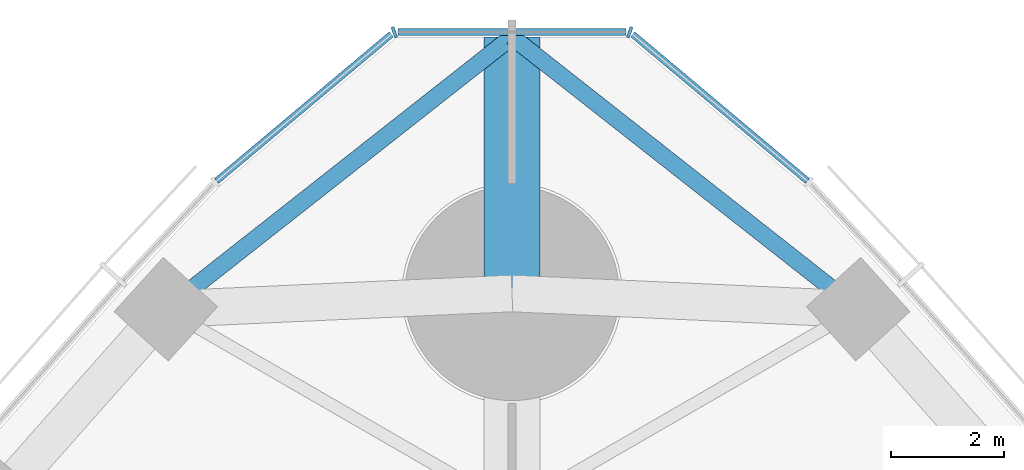
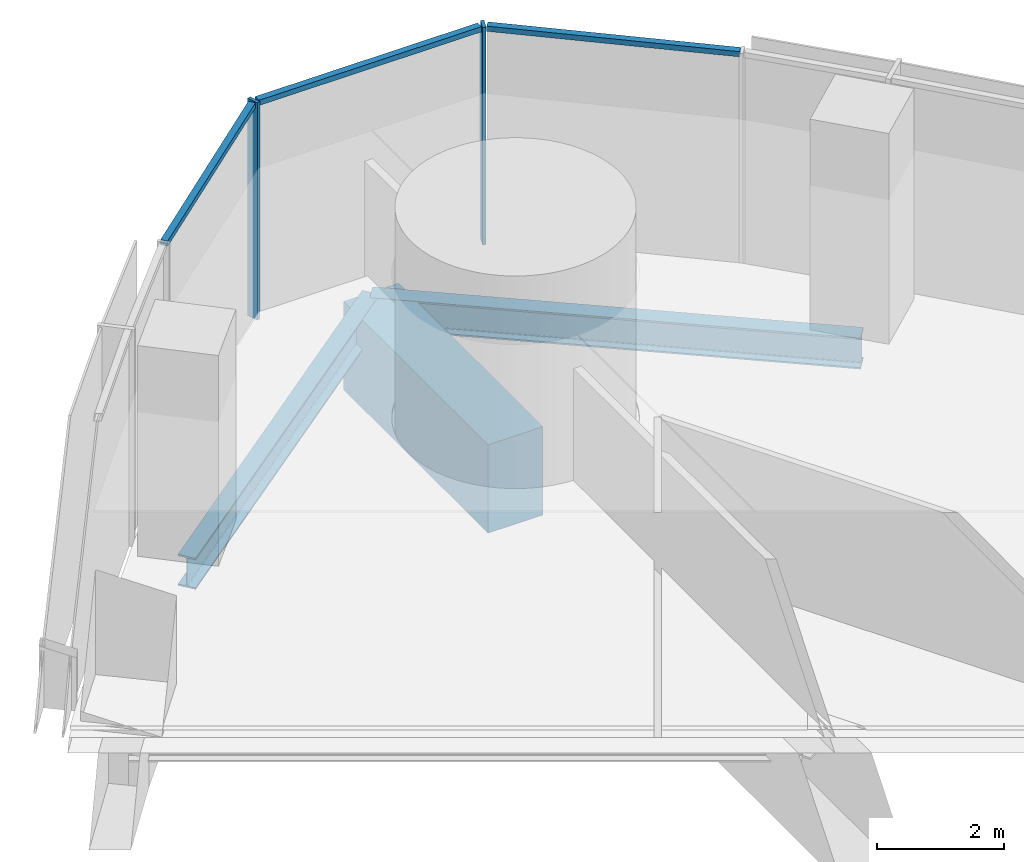
# One storey, part 9 of 19: 5 members, 3 beams, 1 element without a shape of its own.
"""IFC4 building model written with IfcOpenShell, lengths in metres."""

from ifc_helpers import new_model, si_unit, direction, frame, origin, origin_2d, place, context, subcontext, project, spatial, rectangle, i_section, extrude, material, material_profile, profile_set, type_object, element, aggregate, save


model = new_model("IFC4")

# Units and contexts
model_context = context("Model", 3, precision=1e-05, world=origin(), true_north=direction((0.0, 1.0)))
body_context = subcontext(model_context, "Body", "Model", "MODEL_VIEW")
ifc_project = project(units=[si_unit("LENGTHUNIT", "METRE"), si_unit("AREAUNIT", "SQUARE_METRE"), si_unit("VOLUMEUNIT", "CUBIC_METRE"), si_unit("PLANEANGLEUNIT", "RADIAN"), si_unit("MASSUNIT", "GRAM", prefix="KILO")], contexts=[model_context])

# Site, building, storey
site_placement = place(None, origin())
site = spatial("IfcSite", under=ifc_project, at=site_placement, CompositionType="ELEMENT")
building_placement = place(site_placement, origin())
building = spatial("IfcBuilding", under=site, at=building_placement, Name="Trefoil Bronze Tower", CompositionType="ELEMENT")
storey_placement = place(building_placement, frame((0.0, 0.0, 132.5)))
storey = spatial("IfcBuildingStorey", under=building, at=storey_placement, Name="L30", CompositionType="ELEMENT", Elevation=132.5)

# Curtain wall, members
ifc_material_1 = material(Name="Tinted solar-control glass", Category="glass")
curtain_wall_type = type_object("IfcCurtainWallType", Name="Bronze rounded corner curtain wall", PredefinedType="USERDEFINED", material=ifc_material_1)
curtain_wall_placement = place(storey_placement, origin())
curtain_wall = element("IfcCurtainWall", 1, at=curtain_wall_placement, inside=storey, type_object=curtain_wall_type, Name="CW-B L30 K2", ObjectType="CURTAIN WALL", PredefinedType="USERDEFINED")
ifc_material_2 = material(Name="Bronze-finish aluminium", Category="aluminium")
ifc_material_profile_1 = material_profile(ifc_material_2, rectangle(XDim=0.199951171875, YDim=0.06005859375, at=origin_2d()), Name="CW-B mullion")
ifc_profile_set_1 = profile_set([ifc_material_profile_1], Name="Bronze-finish aluminium")
member_type_1 = type_object("IfcMemberType", Name="Bronze rounded corner curtain wall mullion", PredefinedType="MULLION", material=ifc_profile_set_1)
member_1_placement = place(storey_placement, frame((2.08642578125, 39.631591796875, 0.0), z_axis=(0.0, 0.0, 1.0), x_axis=(-0.342020143326, -0.939692620786, 0.0)))
member_1 = element("IfcMember", 2, at=member_1_placement, type_object=member_type_1, Name="CW-B L30 K2 mullion 2", PredefinedType="MULLION", context=body_context, shape_type="SweptSolid", body=[
    extrude(rectangle(XDim=0.199951171875, YDim=0.06005859375, at=origin_2d()), origin(), (0.0, 0.0, 1.0), 4.179931640625),
])
member_2_placement = place(storey_placement, frame((-2.08642578125, 39.631591796875, 0.0), z_axis=(0.0, 0.0, 1.0), x_axis=(0.342020143326, -0.939692620786, 0.0)))
member_2 = element("IfcMember", 3, at=member_2_placement, type_object=member_type_1, Name="CW-B L30 K2 mullion 3", PredefinedType="MULLION", context=body_context, shape_type="SweptSolid", body=[
    extrude(rectangle(XDim=0.199951171875, YDim=0.06005859375, at=origin_2d()), origin(), (0.0, 0.0, 1.0), 4.179931640625),
])
ifc_material_3 = material(Name="Bronze-finish aluminium", Category="aluminium")
ifc_material_profile_2 = material_profile(ifc_material_3, rectangle(XDim=0.1201171875, YDim=0.10009765625, at=origin_2d()), Name="CW-B transom")
ifc_profile_set_2 = profile_set([ifc_material_profile_2], Name="Bronze-finish aluminium")
member_type_2 = type_object("IfcMemberType", Name="Bronze rounded corner curtain wall transom", PredefinedType="USERDEFINED", material=ifc_profile_set_2)
member_3_placement = place(storey_placement, frame((5.237548828125, 36.9951171875, 4.1298828125), z_axis=(-0.766049624684, 0.642781434487, 0.0), x_axis=(-0.642781434487, -0.766049624684, 0.0)))
member_3 = element("IfcMember", 4, at=member_3_placement, type_object=member_type_2, Name="CW-B L30 K2 transom 1", ObjectType="TRANSOM", PredefinedType="USERDEFINED", context=body_context, shape_type="SweptSolid", body=[
    extrude(rectangle(XDim=0.1201171875, YDim=0.10009765625, at=origin_2d()), origin(), (0.0, 0.0, 1.0), 4.04443359375),
])
member_4_placement = place(storey_placement, frame((2.022216796875, 39.637451171875, 4.1298828125), z_axis=(-1.0, 0.0, 0.0), x_axis=(0.0, -1.0, 0.0)))
member_4 = element("IfcMember", 5, at=member_4_placement, type_object=member_type_2, Name="CW-B L30 K2 transom 2", ObjectType="TRANSOM", PredefinedType="USERDEFINED", context=body_context, shape_type="SweptSolid", body=[
    extrude(rectangle(XDim=0.1201171875, YDim=0.10009765625, at=origin_2d()), origin(), (0.0, 0.0, 1.0), 4.04443359375),
])
member_5_placement = place(storey_placement, frame((-2.139404296875, 39.5947265625, 4.1298828125), z_axis=(-0.766049624684, -0.642781434487, 0.0), x_axis=(0.642781434487, -0.766049624684, 0.0)))
member_5 = element("IfcMember", 6, at=member_5_placement, type_object=member_type_2, Name="CW-B L30 K2 transom 3", ObjectType="TRANSOM", PredefinedType="USERDEFINED", context=body_context, shape_type="SweptSolid", body=[
    extrude(rectangle(XDim=0.1201171875, YDim=0.10009765625, at=origin_2d()), origin(), (0.0, 0.0, 1.0), 4.04443359375),
])
aggregate(curtain_wall, [member_1, member_2, member_3, member_4, member_5])

# Beams
ifc_material_4 = material(Name="Concrete B80", Category="concrete")
ifc_material_profile_3 = material_profile(ifc_material_4, rectangle(XDim=1.0, YDim=1.699951171875, at=origin_2d()), Name="RC 1000x1700")
ifc_profile_set_3 = profile_set([ifc_material_profile_3], Name="Concrete B80")
beam_type_1 = type_object("IfcBeamType", Name="Corner cantilever RC 1000x1700", PredefinedType="BEAM", material=ifc_profile_set_3)
beam_placement = place(storey_placement, frame((0.0, 35.0, -1.050048828125), z_axis=(0.0, 1.0, 0.0), x_axis=(-1.0, 0.0, 0.0)))
element("IfcBeam", 7, at=beam_placement, inside=storey, type_object=beam_type_1, Name="Corner cantilever K2 L30", PredefinedType="BEAM", context=body_context, shape_type="SweptSolid", body=[
    extrude(rectangle(XDim=1.0, YDim=1.699951171875, at=origin_2d()), origin(), (0.0, 0.0, 1.0), 4.54931640625),
])
ifc_material_5 = material(Name="Steel C355", Category="steel")
ifc_material_profile_4 = material_profile(ifc_material_5, i_section(OverallWidth=0.300048828125, OverallDepth=0.60009765625, WebThickness=0.015380859375, FlangeThickness=0.030029296875, FilletRadius=0.027099609375, at=origin_2d()), Name="HEB 600")
ifc_profile_set_4 = profile_set([ifc_material_profile_4], Name="Steel C355")
beam_type_2 = type_object("IfcBeamType", Name="Corner edge beam HEB 600", PredefinedType="BEAM", material=ifc_profile_set_4)
for number, where, z_axis, x_axis, name in (
    (8, (6.13916015625, 34.72119140625, -0.5), (-0.786038406433, 0.61817766347, 0.0), (-0.61817766347, -0.786038406433, 0.0), "Corner edge beam F2A L30"),
    (9, (-6.13916015625, 34.72119140625, -0.5), (0.786038406433, 0.61817766347, 0.0), (-0.61817766347, 0.786038406433, 0.0), "Corner edge beam F3B L30"),
):
    element("IfcBeam", number, at=place(storey_placement, frame(where, z_axis=z_axis, x_axis=x_axis)), inside=storey, type_object=beam_type_2, Name=name, PredefinedType="BEAM", context=body_context, shape_type="SweptSolid", body=[
        extrude(i_section(OverallWidth=0.300048828125, OverallDepth=0.60009765625, WebThickness=0.015380859375, FlangeThickness=0.030029296875, FilletRadius=0.027099609375, at=origin_2d()), origin(), (0.0, 0.0, 1.0), 7.810302734375),
    ])

save(model, "model.ifc")
